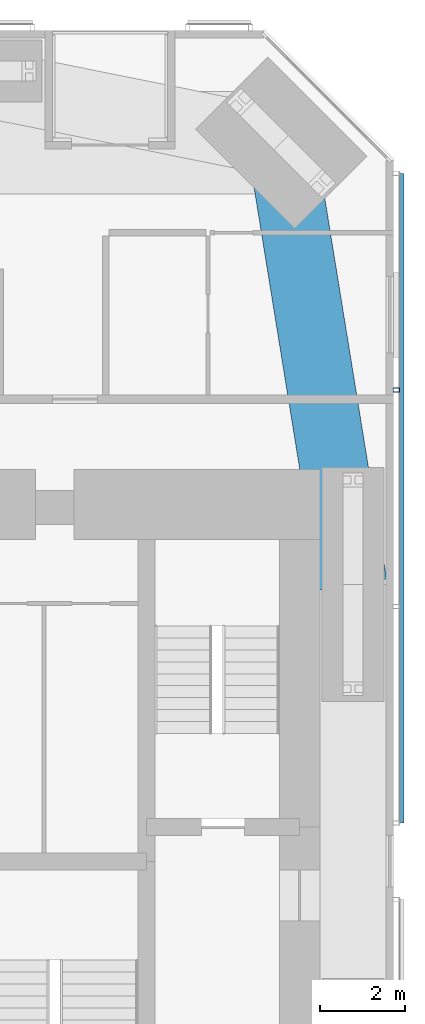
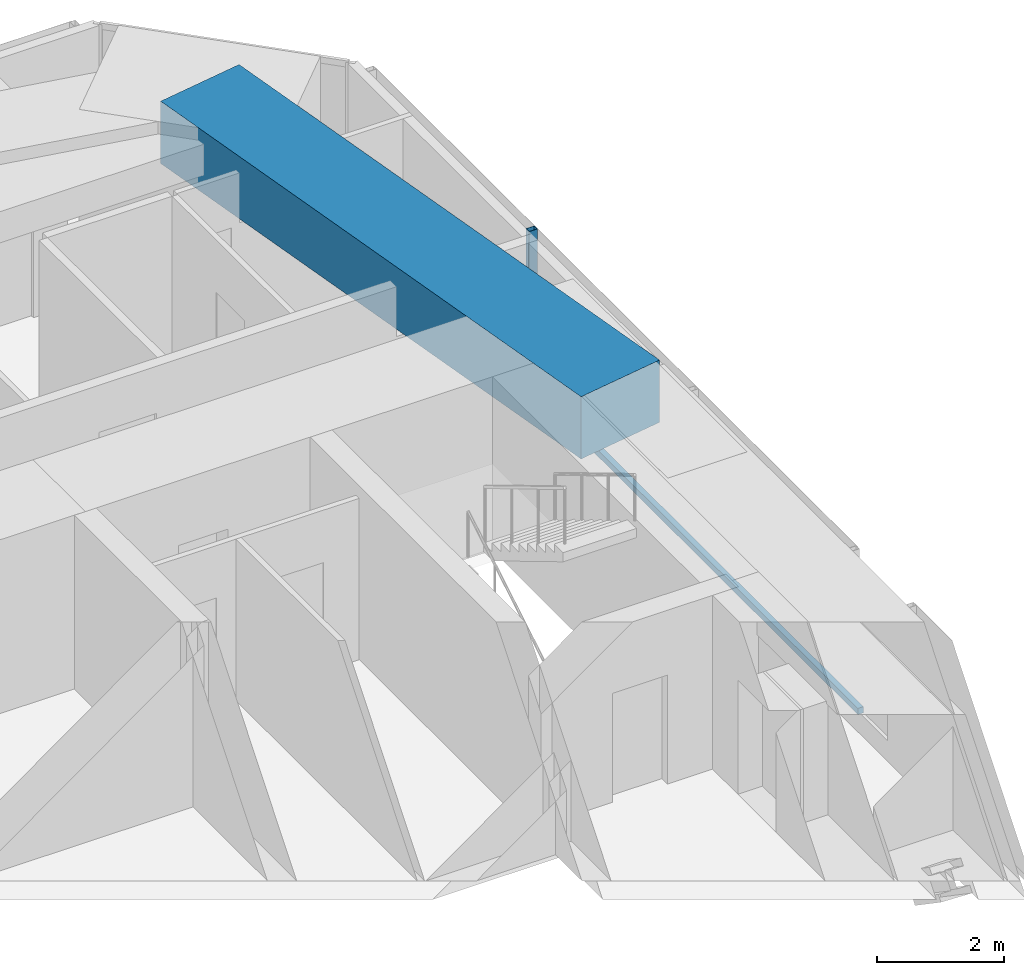
# One storey, part 11 of 24: 2 members, 1 beam, 1 element without a shape of its own.
"""IFC4 building model written with IfcOpenShell, lengths in metres."""

from ifc_helpers import new_model, si_unit, direction, frame, origin, origin_2d, place, context, subcontext, project, spatial, rectangle, hollow_rectangle, extrude, material, material_profile, profile_set, type_object, element, aggregate, save


model = new_model("IFC4")

# Units and contexts
model_context = context("Model", 3, precision=1e-05, world=origin(), true_north=direction((0.0, 1.0)))
body_context = subcontext(model_context, "Body", "Model", "MODEL_VIEW")
ifc_project = project(units=[si_unit("LENGTHUNIT", "METRE"), si_unit("AREAUNIT", "SQUARE_METRE"), si_unit("VOLUMEUNIT", "CUBIC_METRE"), si_unit("PLANEANGLEUNIT", "RADIAN"), si_unit("MASSUNIT", "GRAM", prefix="KILO")], contexts=[model_context])

# Site, building, storey
site_placement = place(None, origin())
site = spatial("IfcSite", under=ifc_project, at=site_placement, CompositionType="ELEMENT")
building_placement = place(site_placement, origin())
building = spatial("IfcBuilding", under=site, at=building_placement, Name="Jalousie Tower", CompositionType="ELEMENT")
storey_placement = place(building_placement, frame((0.0, 0.0, 61.199951171875)))
storey = spatial("IfcBuildingStorey", under=building, at=storey_placement, Name="L16", CompositionType="ELEMENT", Elevation=61.199951171875)

# Beam
ifc_material_1 = material(Name="Concrete f'c 40 MPa", Category="concrete")
ifc_material_profile_1 = material_profile(ifc_material_1, rectangle(XDim=1.60009765625, YDim=1.199951171875, at=origin_2d()), Name="RC 1600x1200")
ifc_profile_set_1 = profile_set([ifc_material_profile_1], Name="Concrete f'c 40 MPa")
beam_type = type_object("IfcBeamType", Name="RC BEAM 1600x1200", PredefinedType="BEAM", material=ifc_profile_set_1)
beam_placement = place(storey_placement, frame((45.050048828125, 25.0, 2.75), z_axis=(-0.160070546476, 0.987105577003, 0.0), x_axis=(-0.987105577003, -0.160070546476, 0.0)))
element("IfcBeam", 1, at=beam_placement, inside=storey, type_object=beam_type, Name="Edge band beam 07-08 under L17", PredefinedType="BEAM", context=body_context, shape_type="SweptSolid", body=[
    extrude(rectangle(XDim=1.60009765625, YDim=1.199951171875, at=origin_2d()), origin(), (0.0, 0.0, 1.0), 10.504150390625),
])

# Curtain wall, members
ifc_material_2 = material(Name="Perforated aluminium sheet", Category="aluminium")
curtain_wall_type = type_object("IfcCurtainWallType", Name="SOLAR SCREEN SS-1", PredefinedType="USERDEFINED", material=ifc_material_2)
curtain_wall_placement = place(storey_placement, origin())
curtain_wall = element("IfcCurtainWall", 2, at=curtain_wall_placement, inside=storey, type_object=curtain_wall_type, Name="Solar screen L16", ObjectType="SOLAR SCREEN SS-1", PredefinedType="USERDEFINED")
ifc_material_3 = material(Name="Steel ASTM A500 Grade C", Category="steel")
ifc_material_profile_2 = material_profile(ifc_material_3, hollow_rectangle(XDim=0.1015625, YDim=0.15234375, WallThickness=0.00634765625, at=origin_2d()), Name="HSS6X4X1/4")
ifc_profile_set_2 = profile_set([ifc_material_profile_2], Name="Steel ASTM A500 Grade C")
member_type_1 = type_object("IfcMemberType", Name="SOLAR SCREEN SS-1 MULLION", PredefinedType="MULLION", material=ifc_profile_set_2)
member_1_placement = place(storey_placement, frame((46.0712890625, 29.56591796875, -0.119873046875), z_axis=(0.0, 0.0, 1.0), x_axis=(0.0, 1.0, 0.0)))
member_1 = element("IfcMember", 3, at=member_1_placement, type_object=member_type_1, Name="SS1 post 3", PredefinedType="MULLION", context=body_context, shape_type="SweptSolid", body=[
    extrude(hollow_rectangle(XDim=0.1015625, YDim=0.15234375, WallThickness=0.00634765625, at=origin_2d()), origin(), (0.0, 0.0, 1.0), 3.22998046875),
])
ifc_material_4 = material(Name="Extruded aluminium screen rail", Category="aluminium")
ifc_material_profile_3 = material_profile(ifc_material_4, rectangle(XDim=0.1015625, YDim=0.1201171875, at=origin_2d()), Name="RAIL 102x120")
ifc_profile_set_3 = profile_set([ifc_material_profile_3], Name="Extruded aluminium screen rail")
member_type_2 = type_object("IfcMemberType", Name="SOLAR SCREEN SS-1 TRANSOM", PredefinedType="USERDEFINED", material=ifc_profile_set_3)
member_2_placement = place(storey_placement, frame((46.1982421875, 19.39990234375, -0.06005859375), z_axis=(0.0, 1.0, 0.0), x_axis=(-1.0, 0.0, 0.0)))
member_2 = element("IfcMember", 4, at=member_2_placement, type_object=member_type_2, Name="SS1 rail", ObjectType="TRANSOM", PredefinedType="USERDEFINED", context=body_context, shape_type="SweptSolid", body=[
    extrude(rectangle(XDim=0.1015625, YDim=0.1201171875, at=origin_2d()), origin(), (0.0, 0.0, 1.0), 15.248779296875),
])
aggregate(curtain_wall, [member_1, member_2])

save(model, "model.ifc")
